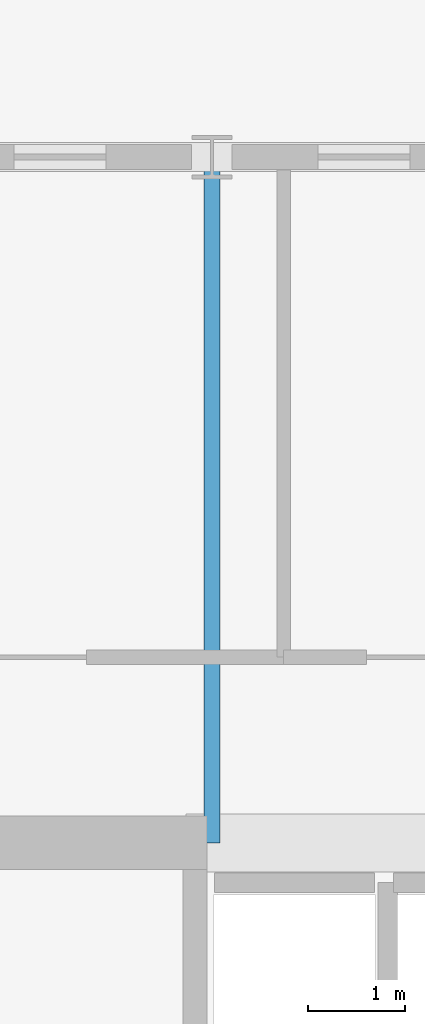
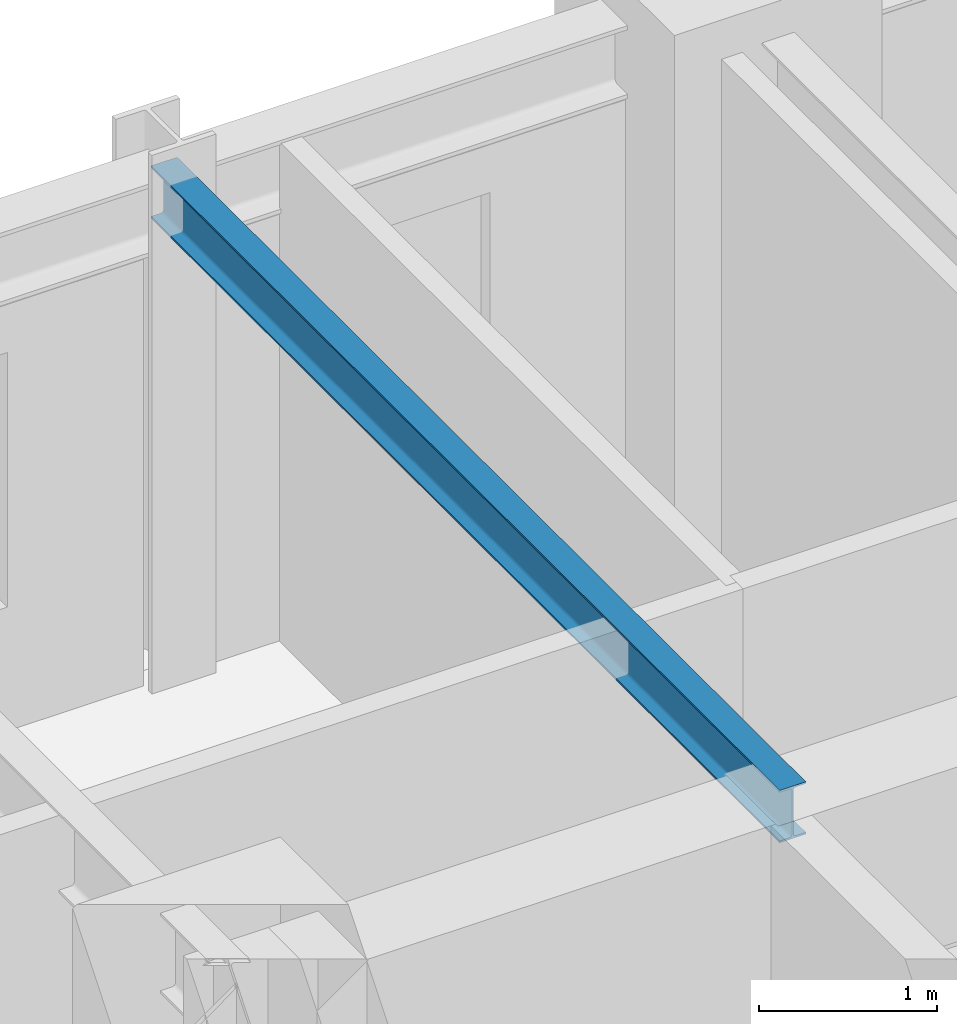
# One storey, part 7 of 19: 1 beam.
"""IFC4 building model written with IfcOpenShell, lengths in metres."""

from ifc_helpers import new_model, si_unit, direction, frame, origin, origin_2d, place, context, subcontext, project, spatial, i_section, extrude, source, transform, mapped, material, material_profile, profile_set, type_object, element, save


model = new_model("IFC4")

# Units and contexts
model_context = context("Model", 3, precision=1e-05, world=origin(), true_north=direction((0.0, 1.0)))
body_context = subcontext(model_context, "Body", "Model", "MODEL_VIEW")
ifc_project = project(units=[si_unit("LENGTHUNIT", "METRE"), si_unit("AREAUNIT", "SQUARE_METRE"), si_unit("VOLUMEUNIT", "CUBIC_METRE"), si_unit("PLANEANGLEUNIT", "RADIAN"), si_unit("MASSUNIT", "GRAM", prefix="KILO")], contexts=[model_context])

# Site, building, storey
site_placement = place(None, origin())
site = spatial("IfcSite", under=ifc_project, at=site_placement, CompositionType="ELEMENT")
building_placement = place(site_placement, origin())
building = spatial("IfcBuilding", under=site, at=building_placement, Name="Kaliganga Portal Commons", CompositionType="ELEMENT")
storey_placement = place(building_placement, frame((0.0, 0.0, 32.699951171875)))
storey = spatial("IfcBuildingStorey", under=building, at=storey_placement, Name="L07", CompositionType="ELEMENT", Elevation=32.699951171875)

# Beam
ifc_material = material(Name="Structural steel S355J2", Category="steel")
ifc_material_profile = material_profile(ifc_material, i_section(OverallWidth=0.169921875, OverallDepth=0.360107421875, WebThickness=0.008056640625, FlangeThickness=0.0126953125, FilletRadius=0.01806640625, at=origin_2d()), Name="IPE 360")
ifc_profile_set = profile_set([ifc_material_profile], Name="Structural steel S355J2 wide-flange")
beam_type = type_object("IfcBeamType", Name="BM-JST-360", PredefinedType="JOIST", material=ifc_profile_set)
shared_shape = source(origin(), body_context, "Body", "SweptSolid", [
    extrude(i_section(OverallWidth=0.169921875, OverallDepth=0.360107421875, WebThickness=0.008056640625, FlangeThickness=0.0126953125, FilletRadius=0.01806640625, at=origin_2d()), origin(), (0.0, 0.0, 1.0), 7.074951171875),
])
beam_placement = place(storey_placement, frame((18.0, 36.125, 3.27001953125), z_axis=(0.0, 1.0, 0.0), x_axis=(-1.0, 0.0, 0.0)))
element("IfcBeam", 1, at=beam_placement, inside=storey, type_object=beam_type, Name="BM G L07 AN180", PredefinedType="JOIST", context=body_context, shape_type="MappedRepresentation", body=[
    mapped(shared_shape, transform((0.0, 0.0, 0.0), x_axis=(1.0, 0.0, 0.0), y_axis=(0.0, 1.0, 0.0), z_axis=(0.0, 0.0, 1.0), scale=1.0)),
])

save(model, "model.ifc")
